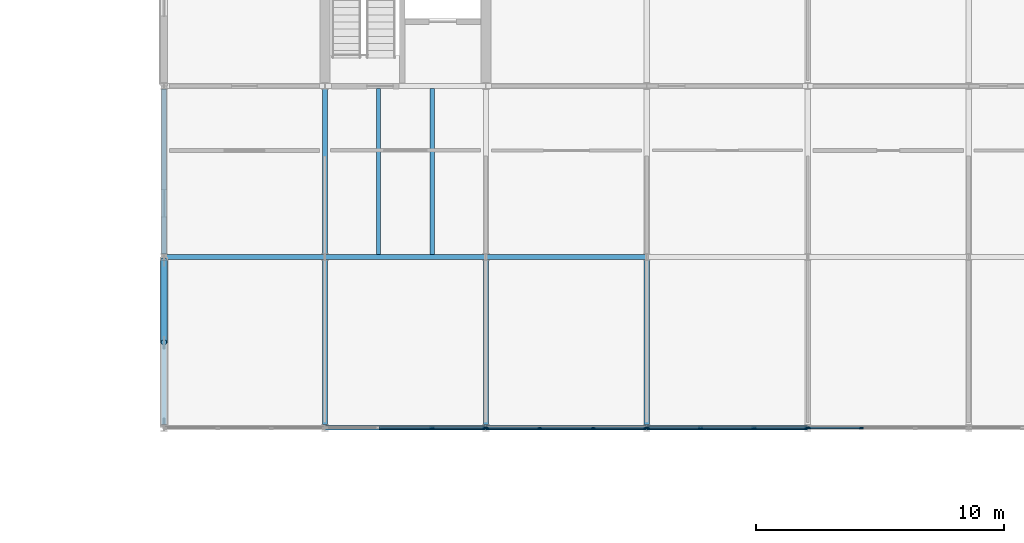
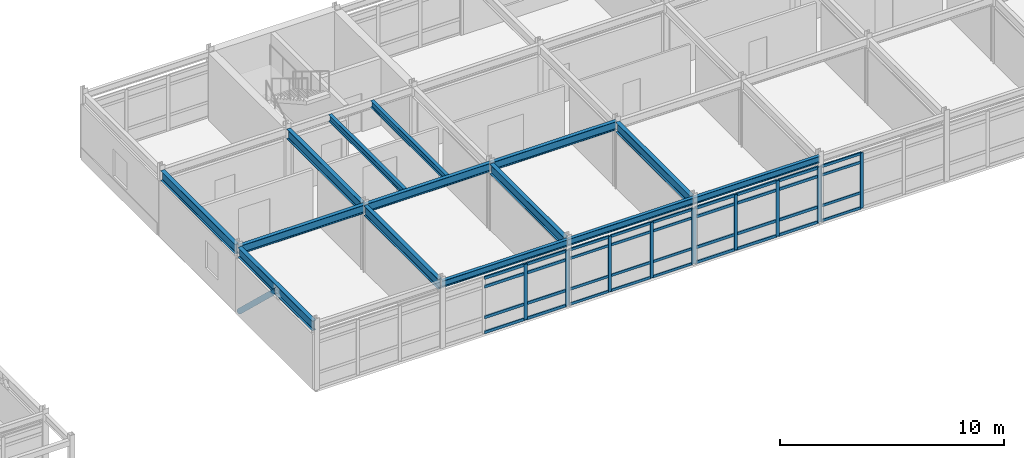
# One storey, part 24 of 57: 49 members, 14 beams, 4 elements without a shape of their own.
"""IFC4 building model written with IfcOpenShell, lengths in metres."""

import ifcopenshell
import ifcopenshell.guid

model = None  # the IFC model being written
_history = None  # IfcOwnerHistory: only IFC2X3 demands one
_inside = {}  # id of a spatial element -> (the spatial element, [elements in it])
_under = {}  # id of a project, library or spatial element -> (it, [spatial elements below it])
_declared = {}  # id of a project -> (the project, [libraries it declares])
_typed = {}  # id of a type object -> (the type object, [elements of that type])
_made_of = {}  # id of a material, layer set ... -> (it, [elements and type objects made of it])


def new_model(schema):
    """Start an empty IFC model of exactly this schema.

    Asked for "IFC4X3", IfcOpenShell would pick the latest addendum, in which some entities
    have other attributes; the version numbers below select the first issue.
    IFC2X3 requires an IfcOwnerHistory on every rooted entity: one is made here for all.
    """
    global model, _history
    if schema == "IFC4X3":
        model = ifcopenshell.file(schema_version=(4, 3, 0, 0))
    else:
        model = ifcopenshell.file(schema=schema)
    _inside.clear()
    _under.clear()
    _declared.clear()
    _typed.clear()
    _made_of.clear()
    _history = None
    if model.schema == "IFC2X3":
        org = make("IfcOrganization", Name="unknown")
        user = make(
            "IfcPersonAndOrganization",
            ThePerson=make("IfcPerson", FamilyName="unknown"),
            TheOrganization=org,
        )
        app = make(
            "IfcApplication",
            ApplicationDeveloper=org,
            Version="unknown",
            ApplicationFullName="unknown",
            ApplicationIdentifier="unknown",
        )
        _history = make(
            "IfcOwnerHistory",
            OwningUser=user,
            OwningApplication=app,
            ChangeAction="ADDED",
            CreationDate=0,
        )
    return model


def make(cls, **values):
    """One entity of the class cls with the attributes given. An attribute that is None is left unset."""
    return model.create_entity(
        cls, **{name: value for name, value in values.items() if value is not None}
    )


def rooted(cls, **values):
    """An entity with a GlobalId (a new one), such as an element, a storey or a relation."""
    return make(cls, GlobalId=ifcopenshell.guid.new(), OwnerHistory=_history, **values)


def si_unit(unit_type, name, prefix=None):
    """IfcSIUnit, for example si_unit("LENGTHUNIT", "METRE", prefix="MILLI")."""
    return make("IfcSIUnit", UnitType=unit_type, Prefix=prefix, Name=name)


def assignment(units):
    """IfcUnitAssignment: the units of a project."""
    return None if units is None else make("IfcUnitAssignment", Units=units)


def point(xyz):
    """IfcCartesianPoint."""
    return None if xyz is None else make("IfcCartesianPoint", Coordinates=xyz)


def direction(xyz):
    """IfcDirection."""
    return None if xyz is None else make("IfcDirection", DirectionRatios=xyz)


def frame(location, z_axis=None, x_axis=None):
    """IfcAxis2Placement3D, a coordinate frame: its origin and axes. An axis left out is left unset."""
    return make(
        "IfcAxis2Placement3D",
        Location=point(location),
        Axis=direction(z_axis),
        RefDirection=direction(x_axis),
    )


def frame_2d(location, x_axis=None):
    """IfcAxis2Placement2D, a coordinate frame in the plane: its origin and x axis."""
    return make(
        "IfcAxis2Placement2D", Location=point(location), RefDirection=direction(x_axis)
    )


def origin():
    """The frame at (0, 0, 0) with its axes left unset."""
    return frame((0.0, 0.0, 0.0))


def origin_2d():
    """The frame at (0, 0) in the plane with its x axis left unset."""
    return frame_2d((0.0, 0.0))


def place(relative_to, where):
    """IfcLocalPlacement: puts the frame where relative to a parent placement (None: the world)."""
    return make(
        "IfcLocalPlacement", PlacementRelTo=relative_to, RelativePlacement=where
    )


def context(
    kind, dimensions, precision=None, world=None, true_north=None, identifier=None
):
    """IfcGeometricRepresentationContext, for example the 3D "Model" context."""
    return make(
        "IfcGeometricRepresentationContext",
        ContextIdentifier=identifier,
        ContextType=kind,
        CoordinateSpaceDimension=dimensions,
        Precision=precision,
        WorldCoordinateSystem=world,
        TrueNorth=true_north,
    )


def subcontext(parent, identifier, kind, view, scale=None):
    """IfcGeometricRepresentationSubContext, for example "Body" below "Model"."""
    return make(
        "IfcGeometricRepresentationSubContext",
        ContextIdentifier=identifier,
        ContextType=kind,
        ParentContext=parent,
        TargetScale=scale,
        TargetView=view,
    )


def project(units=None, contexts=None):
    """IfcProject with its units and contexts."""
    return rooted(
        "IfcProject",
        Name="project",
        RepresentationContexts=contexts,
        UnitsInContext=assignment(units),
    )


def spatial(cls, under=None, at=None, **own):
    """A site, building, storey or space (cls), placed at a placement, below another one or the project."""
    s = rooted(cls, ObjectPlacement=at, **own)
    if under is not None:
        _under.setdefault(under.id(), (under, []))[1].append(s)
    return s


def profile(cls, at=None, kind="AREA", **sizes):
    """A parametric profile (cls). Its sizes go by their IFC names, for example OverallWidth=200.0."""
    return make(cls, ProfileType=kind, Position=at, **sizes)


def rectangle(**sizes):
    """IfcRectangleProfileDef."""
    return profile("IfcRectangleProfileDef", **sizes)


def hollow_circle(**sizes):
    """IfcCircleHollowProfileDef."""
    return profile("IfcCircleHollowProfileDef", **sizes)


def i_section(**sizes):
    """IfcIShapeProfileDef."""
    return profile("IfcIShapeProfileDef", **sizes)


def extrude(swept, where, along, depth):
    """IfcExtrudedAreaSolid: the profile swept, set in the frame where, extruded along a direction by depth."""
    return make(
        "IfcExtrudedAreaSolid",
        SweptArea=swept,
        Position=where,
        ExtrudedDirection=direction(along),
        Depth=depth,
    )


def shape(context_of_items, identifier, shape_type, items):
    """IfcShapeRepresentation: the items that make up one representation, for example the "Body"."""
    return make(
        "IfcShapeRepresentation",
        ContextOfItems=context_of_items,
        RepresentationIdentifier=identifier,
        RepresentationType=shape_type,
        Items=items,
    )


def material(Name=None, Category=None):
    """IfcMaterial."""
    return make("IfcMaterial", Name=Name, Category=Category)


def layer(
    of_material, thickness, ventilated=None, Name=None, Category=None, Priority=None
):
    """IfcMaterialLayer: one layer of a wall or slab, of a material (None: an air gap)."""
    return make(
        "IfcMaterialLayer",
        Material=of_material,
        LayerThickness=thickness,
        IsVentilated=ventilated,
        Name=Name,
        Category=Category,
        Priority=Priority,
    )


def layer_set(layers, Name=None):
    """IfcMaterialLayerSet."""
    return make("IfcMaterialLayerSet", MaterialLayers=layers, LayerSetName=Name)


def material_profile(
    of_material, cross_section, Name=None, Category=None, Priority=None
):
    """IfcMaterialProfile: a cross section and its material."""
    return make(
        "IfcMaterialProfile",
        Name=Name,
        Material=of_material,
        Profile=cross_section,
        Priority=Priority,
        Category=Category,
    )


def profile_set(profiles, Name=None, composite=None):
    """IfcMaterialProfileSet."""
    return make(
        "IfcMaterialProfileSet",
        Name=Name,
        MaterialProfiles=profiles,
        CompositeProfile=composite,
    )


def made_of(thing, what):
    """Note that an element or type object is made of a material, layer set ...; save() writes the relation."""
    if what is not None:
        _made_of.setdefault(what.id(), (what, []))[1].append(thing)
    return thing


def type_object(cls, material=None, **own):
    """A type object (cls), such as IfcWallType, which elements share."""
    return made_of(rooted(cls, **own), material)


def element(
    cls,
    number,
    at=None,
    inside=None,
    cuts=None,
    type_object=None,
    material=None,
    context=None,
    identifier="Body",
    shape_type=None,
    held_by="IfcProductDefinitionShape",
    body=None,
    shapes=None,
    **own,
):
    """One element of the class cls, such as IfcWall. Its Tag is "e" and its number.

    at: its placement. inside: the storey or other place that contains it. cuts: it is an
    opening in that element (IfcRelVoidsElement). A single representation is given by context,
    identifier, shape_type and body (its items); several are given by shapes. held_by: the class
    of the entity that holds the representations. save() writes the other relations.
    """
    e = rooted(cls, Tag="e%d" % number, ObjectPlacement=at, **own)
    if body is not None:
        shapes = [shape(context, identifier, shape_type, body)]
    if shapes is not None:
        e.Representation = make(held_by, Representations=shapes)
    if inside is not None:
        _inside.setdefault(inside.id(), (inside, []))[1].append(e)
    if cuts is not None:
        rooted(
            "IfcRelVoidsElement", RelatingBuildingElement=cuts, RelatedOpeningElement=e
        )
    if type_object is not None:
        _typed.setdefault(type_object.id(), (type_object, []))[1].append(e)
    return made_of(e, material)


def aggregate(whole, parts):
    """IfcRelAggregates: a whole, such as a stair, and the parts it consists of."""
    return rooted("IfcRelAggregates", RelatingObject=whole, RelatedObjects=parts)


def save(model, path):
    """Write the relations noted so far, then the file.

    IfcRelAggregates (storeys below a building ...), IfcRelContainedInSpatialStructure (elements
    in a storey), IfcRelDefinesByType, IfcRelAssociatesMaterial and IfcRelDeclares: one each for
    every whole, place, type object, material and project.
    """
    for whole, parts in _under.values():
        aggregate(whole, parts)
    for where, things in _inside.values():
        rooted(
            "IfcRelContainedInSpatialStructure",
            RelatedElements=things,
            RelatingStructure=where,
        )
    for kind, things in _typed.values():
        rooted("IfcRelDefinesByType", RelatedObjects=things, RelatingType=kind)
    for what, things in _made_of.values():
        rooted("IfcRelAssociatesMaterial", RelatedObjects=things, RelatingMaterial=what)
    for by, libraries in _declared.values():
        rooted("IfcRelDeclares", RelatingContext=by, RelatedDefinitions=libraries)
    model.write(path)


model = new_model("IFC4")

# Units and contexts
model_context = context("Model", 3, precision=1e-05, world=origin(), true_north=direction((0.0, 1.0)))
body_context = subcontext(model_context, "Body", "Model", "MODEL_VIEW")
ifc_project = project(units=[si_unit("LENGTHUNIT", "METRE"), si_unit("AREAUNIT", "SQUARE_METRE"), si_unit("VOLUMEUNIT", "CUBIC_METRE"), si_unit("PLANEANGLEUNIT", "RADIAN"), si_unit("MASSUNIT", "GRAM", prefix="KILO")], contexts=[model_context])

# Site, building, storey
site_placement = place(None, origin())
site = spatial("IfcSite", under=ifc_project, at=site_placement, CompositionType="ELEMENT")
building_placement = place(site_placement, origin())
building = spatial("IfcBuilding", under=site, at=building_placement, Name="Trelmorton Wharf Fire Station", CompositionType="ELEMENT")
storey_placement = place(building_placement, frame((0.0, 0.0, 13.5)))
storey = spatial("IfcBuildingStorey", under=building, at=storey_placement, Name="L03", CompositionType="ELEMENT", Elevation=13.5)

# Beams
ifc_material_1 = material(Name="Steel Grade 350", Category="steel")
ifc_material_profile_1 = material_profile(ifc_material_1, i_section(OverallWidth=0.18994140625, OverallDepth=0.45703125, WebThickness=0.009033203125, FlangeThickness=0.014404296875, FilletRadius=0.011474609375, at=origin_2d()), Name="460UB74.6")
ifc_profile_set_1 = profile_set([ifc_material_profile_1], Name="Steel Grade 350")
beam_type_1 = type_object("IfcBeamType", Name="BM_460UB75", PredefinedType="BEAM", material=ifc_profile_set_1)
for number, where, z_axis, x_axis, name in (
    (1, (104.00390625, 67.199951171875, 3.401611328125), (1.0, 0.0, 0.0), (0.0, 1.0, 0.0), "BM-L03-0934"),
    (2, (110.50390625, 67.199951171875, 3.401611328125), (1.0, 0.0, 0.0), (0.0, 1.0, 0.0), "BM-L03-0935"),
    (3, (117.00390625, 67.199951171875, 3.401611328125), (1.0, 0.0, 0.0), (0.0, 1.0, 0.0), "BM-L03-0936"),
):
    element("IfcBeam", number, at=place(storey_placement, frame(where, z_axis=z_axis, x_axis=x_axis)), inside=storey, type_object=beam_type_1, Name=name, PredefinedType="BEAM", context=body_context, shape_type="SweptSolid", body=[
        extrude(i_section(OverallWidth=0.18994140625, OverallDepth=0.45703125, WebThickness=0.009033203125, FlangeThickness=0.014404296875, FilletRadius=0.011474609375, at=origin_2d()), origin(), (0.0, 0.0, 1.0), 6.4921875),
    ])
ifc_material_profile_2 = material_profile(ifc_material_1, i_section(OverallWidth=0.208984375, OverallDepth=0.532958984375, WebThickness=0.01025390625, FlangeThickness=0.015625, FilletRadius=0.013916015625, at=origin_2d()), Name="530UB92.4")
ifc_profile_set_2 = profile_set([ifc_material_profile_2], Name="Steel Grade 350")
beam_type_2 = type_object("IfcBeamType", Name="BM_530UB92", PredefinedType="BEAM", material=ifc_profile_set_2)
beam_1_placement = place(storey_placement, frame((104.0, 60.426025390625, 3.363525390625), z_axis=(0.0, 1.0, 0.0), x_axis=(-1.0, 0.0, 0.0)))
element("IfcBeam", 4, at=beam_1_placement, inside=storey, type_object=beam_type_2, Name="BM-L03-0980", PredefinedType="BEAM", context=body_context, shape_type="SweptSolid", body=[
    extrude(i_section(OverallWidth=0.208984375, OverallDepth=0.532958984375, WebThickness=0.01025390625, FlangeThickness=0.015625, FilletRadius=0.013916015625, at=origin_2d()), origin(), (0.0, 0.0, 1.0), 6.64794921875),
])
beam_2_placement = place(storey_placement, frame((104.0, 67.325927734375, 3.363525390625), z_axis=(0.0, 1.0, 0.0), x_axis=(-1.0, 0.0, 0.0)))
element("IfcBeam", 5, at=beam_2_placement, inside=storey, type_object=beam_type_2, Name="BM-L03-0981", PredefinedType="BEAM", context=body_context, shape_type="SweptSolid", body=[
    extrude(i_section(OverallWidth=0.208984375, OverallDepth=0.532958984375, WebThickness=0.01025390625, FlangeThickness=0.015625, FilletRadius=0.013916015625, at=origin_2d()), origin(), (0.0, 0.0, 1.0), 6.648193359375),
])
beam_3_placement = place(storey_placement, frame((110.5, 60.426025390625, 3.363525390625), z_axis=(0.0, 1.0, 0.0), x_axis=(-1.0, 0.0, 0.0)))
element("IfcBeam", 6, at=beam_3_placement, inside=storey, type_object=beam_type_2, Name="BM-L03-0986", PredefinedType="BEAM", context=body_context, shape_type="SweptSolid", body=[
    extrude(i_section(OverallWidth=0.208984375, OverallDepth=0.532958984375, WebThickness=0.01025390625, FlangeThickness=0.015625, FilletRadius=0.013916015625, at=origin_2d()), origin(), (0.0, 0.0, 1.0), 6.64794921875),
])
beam_4_placement = place(storey_placement, frame((110.5, 67.325927734375, 3.363525390625), z_axis=(0.0, 1.0, 0.0), x_axis=(-1.0, 0.0, 0.0)))
element("IfcBeam", 7, at=beam_4_placement, inside=storey, type_object=beam_type_2, Name="BM-L03-0987", PredefinedType="BEAM", context=body_context, shape_type="SweptSolid", body=[
    extrude(i_section(OverallWidth=0.208984375, OverallDepth=0.532958984375, WebThickness=0.01025390625, FlangeThickness=0.015625, FilletRadius=0.013916015625, at=origin_2d()), origin(), (0.0, 0.0, 1.0), 6.648193359375),
])
for number, where, z_axis, x_axis, name in (
    (8, (117.0, 60.426025390625, 3.363525390625), (0.0, 1.0, 0.0), (-1.0, 0.0, 0.0), "BM-L03-0992"),
    (9, (123.5, 60.426025390625, 3.363525390625), (0.0, 1.0, 0.0), (-1.0, 0.0, 0.0), "BM-L03-0998"),
):
    element("IfcBeam", number, at=place(storey_placement, frame(where, z_axis=z_axis, x_axis=x_axis)), inside=storey, type_object=beam_type_2, Name=name, PredefinedType="BEAM", context=body_context, shape_type="SweptSolid", body=[
        extrude(i_section(OverallWidth=0.208984375, OverallDepth=0.532958984375, WebThickness=0.01025390625, FlangeThickness=0.015625, FilletRadius=0.013916015625, at=origin_2d()), origin(), (0.0, 0.0, 1.0), 6.64794921875),
    ])

# Member
ifc_material_2 = material(Name="Steel C350L0 (350 MPa)", Category="steel")
ifc_material_profile_3 = material_profile(ifc_material_2, hollow_circle(Radius=0.136474609375, WallThickness=0.00927734375, at=origin_2d()), Name="273.1x9.3CHS")
ifc_profile_set_3 = profile_set([ifc_material_profile_3], Name="Steel C350L0 (350 MPa)")
member_type_1 = type_object("IfcMemberType", Name="BR_273CHS", PredefinedType="BRACE", material=ifc_profile_set_3)
member_1_placement = place(storey_placement, frame((104.0, 67.072998046875, 0.1201171875), z_axis=(0.0, -0.724665699135, 0.689100590986), x_axis=(1.0, 0.0, 0.0)))
element("IfcMember", 10, at=member_1_placement, inside=storey, type_object=member_type_1, Name="CBF-V4-W-L03-B", PredefinedType="BRACE", context=body_context, shape_type="SweptSolid", body=[
    extrude(hollow_circle(Radius=0.136474609375, WallThickness=0.00927734375, at=origin_2d()), origin(), (0.0, 0.0, 1.0), 4.58544921875),
])

# Curtain wall, members
ifc_material_3 = material(Name="Anodised aluminium AW-6063", Category="aluminium")
ifc_layer = layer(ifc_material_3, 0.175048828125)
ifc_layer_set = layer_set([ifc_layer], Name="Anodised aluminium AW-6063")
curtain_wall_type = type_object("IfcCurtainWallType", Name="CW_CHIC_B", PredefinedType="USERDEFINED", material=ifc_layer_set)
curtain_wall_1_placement = place(storey_placement, origin())
curtain_wall_1 = element("IfcCurtainWall", 11, at=curtain_wall_1_placement, inside=storey, type_object=curtain_wall_type, Name="CW-V4-L03-145", ObjectType="CHICAGO BAY CURTAIN WALL", PredefinedType="USERDEFINED")
ifc_material_profile_4 = material_profile(ifc_material_3, rectangle(XDim=0.06494140625, YDim=0.159912109375, at=origin_2d()), Name="ALU-65x160")
ifc_profile_set_4 = profile_set([ifc_material_profile_4], Name="Anodised aluminium AW-6063")
member_type_2 = type_object("IfcMemberType", Name="CWM_65x160", PredefinedType="MULLION", material=ifc_profile_set_4)
member_2_placement = place(storey_placement, frame((123.465087890625, 60.300048828125, 0.0), z_axis=(0.0, 0.0, 1.0), x_axis=(0.0, -1.0, 0.0)))
member_2 = element("IfcMember", 12, at=member_2_placement, type_object=member_type_2, Name="CW2 mullion 1", PredefinedType="MULLION", context=body_context, shape_type="SweptSolid", body=[
    extrude(rectangle(XDim=0.06494140625, YDim=0.159912109375, at=origin_2d()), origin(), (0.0, 0.0, 1.0), 3.02001953125),
])
member_3_placement = place(storey_placement, frame((121.331787109375, 60.300048828125, 0.0), z_axis=(0.0, 0.0, 1.0), x_axis=(0.0, -1.0, 0.0)))
member_3 = element("IfcMember", 13, at=member_3_placement, type_object=member_type_2, Name="CW2 mullion 2", PredefinedType="MULLION", context=body_context, shape_type="SweptSolid", body=[
    extrude(rectangle(XDim=0.06494140625, YDim=0.159912109375, at=origin_2d()), origin(), (0.0, 0.0, 1.0), 3.02001953125),
])
member_4_placement = place(storey_placement, frame((119.168212890625, 60.300048828125, 0.0), z_axis=(0.0, 0.0, 1.0), x_axis=(0.0, -1.0, 0.0)))
member_4 = element("IfcMember", 14, at=member_4_placement, type_object=member_type_2, Name="CW2 mullion 3", PredefinedType="MULLION", context=body_context, shape_type="SweptSolid", body=[
    extrude(rectangle(XDim=0.06494140625, YDim=0.159912109375, at=origin_2d()), origin(), (0.0, 0.0, 1.0), 3.02001953125),
])
member_5_placement = place(storey_placement, frame((117.034912109375, 60.300048828125, 0.0), z_axis=(0.0, 0.0, 1.0), x_axis=(0.0, -1.0, 0.0)))
member_5 = element("IfcMember", 15, at=member_5_placement, type_object=member_type_2, Name="CW2 mullion 4", PredefinedType="MULLION", context=body_context, shape_type="SweptSolid", body=[
    extrude(rectangle(XDim=0.06494140625, YDim=0.159912109375, at=origin_2d()), origin(), (0.0, 0.0, 1.0), 3.02001953125),
])

curtain_wall_2_placement = place(storey_placement, origin())
curtain_wall_2 = element("IfcCurtainWall", 16, at=curtain_wall_2_placement, inside=storey, type_object=curtain_wall_type, Name="CW-V4-L03-147", ObjectType="CHICAGO BAY CURTAIN WALL", PredefinedType="USERDEFINED")
member_6_placement = place(storey_placement, frame((132.168212890625, 60.300048828125, 0.0), z_axis=(0.0, 0.0, 1.0), x_axis=(0.0, -1.0, 0.0)))
member_6 = element("IfcMember", 17, at=member_6_placement, type_object=member_type_2, Name="CW2 mullion 3", PredefinedType="MULLION", context=body_context, shape_type="SweptSolid", body=[
    extrude(rectangle(XDim=0.06494140625, YDim=0.159912109375, at=origin_2d()), origin(), (0.0, 0.0, 1.0), 3.02001953125),
])
member_7_placement = place(storey_placement, frame((130.034912109375, 60.300048828125, 0.0), z_axis=(0.0, 0.0, 1.0), x_axis=(0.0, -1.0, 0.0)))
member_7 = element("IfcMember", 18, at=member_7_placement, type_object=member_type_2, Name="CW2 mullion 4", PredefinedType="MULLION", context=body_context, shape_type="SweptSolid", body=[
    extrude(rectangle(XDim=0.06494140625, YDim=0.159912109375, at=origin_2d()), origin(), (0.0, 0.0, 1.0), 3.02001953125),
])

curtain_wall_3_placement = place(storey_placement, origin())
curtain_wall_3 = element("IfcCurtainWall", 19, at=curtain_wall_3_placement, inside=storey, type_object=curtain_wall_type, Name="CW-V4-L03-144", ObjectType="CHICAGO BAY CURTAIN WALL", PredefinedType="USERDEFINED")
ifc_material_profile_5 = material_profile(ifc_material_3, rectangle(XDim=0.074951171875, YDim=0.175048828125, at=origin_2d()), Name="ALU-75x175")
ifc_profile_set_5 = profile_set([ifc_material_profile_5], Name="Anodised aluminium AW-6063")
member_type_3 = type_object("IfcMemberType", Name="CWM_75x175", PredefinedType="MULLION", material=ifc_profile_set_5)
member_8_placement = place(storey_placement, frame((116.965087890625, 60.300048828125, 0.0), z_axis=(0.0, 0.0, 1.0), x_axis=(0.0, -1.0, 0.0)))
member_8 = element("IfcMember", 20, at=member_8_placement, type_object=member_type_3, Name="CW2 mullion 1", PredefinedType="MULLION", context=body_context, shape_type="SweptSolid", body=[
    extrude(rectangle(XDim=0.074951171875, YDim=0.175048828125, at=origin_2d()), origin(), (0.0, 0.0, 1.0), 3.02001953125),
])
member_9_placement = place(storey_placement, frame((114.831787109375, 60.300048828125, 0.0), z_axis=(0.0, 0.0, 1.0), x_axis=(0.0, -1.0, 0.0)))
member_9 = element("IfcMember", 21, at=member_9_placement, type_object=member_type_3, Name="CW2 mullion 2", PredefinedType="MULLION", context=body_context, shape_type="SweptSolid", body=[
    extrude(rectangle(XDim=0.074951171875, YDim=0.175048828125, at=origin_2d()), origin(), (0.0, 0.0, 1.0), 3.02001953125),
])

curtain_wall_4_placement = place(storey_placement, origin())
curtain_wall_4 = element("IfcCurtainWall", 22, at=curtain_wall_4_placement, inside=storey, type_object=curtain_wall_type, Name="CW-V4-L03-146", ObjectType="CHICAGO BAY CURTAIN WALL", PredefinedType="USERDEFINED")
member_10_placement = place(storey_placement, frame((129.965087890625, 60.300048828125, 0.0), z_axis=(0.0, 0.0, 1.0), x_axis=(0.0, -1.0, 0.0)))
member_10 = element("IfcMember", 23, at=member_10_placement, type_object=member_type_3, Name="CW2 mullion 1", PredefinedType="MULLION", context=body_context, shape_type="SweptSolid", body=[
    extrude(rectangle(XDim=0.074951171875, YDim=0.175048828125, at=origin_2d()), origin(), (0.0, 0.0, 1.0), 3.02001953125),
])
member_11_placement = place(storey_placement, frame((127.831787109375, 60.300048828125, 0.0), z_axis=(0.0, 0.0, 1.0), x_axis=(0.0, -1.0, 0.0)))
member_11 = element("IfcMember", 24, at=member_11_placement, type_object=member_type_3, Name="CW2 mullion 2", PredefinedType="MULLION", context=body_context, shape_type="SweptSolid", body=[
    extrude(rectangle(XDim=0.074951171875, YDim=0.175048828125, at=origin_2d()), origin(), (0.0, 0.0, 1.0), 3.02001953125),
])
member_12_placement = place(storey_placement, frame((125.668212890625, 60.300048828125, 0.0), z_axis=(0.0, 0.0, 1.0), x_axis=(0.0, -1.0, 0.0)))
member_12 = element("IfcMember", 25, at=member_12_placement, type_object=member_type_3, Name="CW2 mullion 3", PredefinedType="MULLION", context=body_context, shape_type="SweptSolid", body=[
    extrude(rectangle(XDim=0.074951171875, YDim=0.175048828125, at=origin_2d()), origin(), (0.0, 0.0, 1.0), 3.02001953125),
])
member_13_placement = place(storey_placement, frame((123.534912109375, 60.300048828125, 0.0), z_axis=(0.0, 0.0, 1.0), x_axis=(0.0, -1.0, 0.0)))
member_13 = element("IfcMember", 26, at=member_13_placement, type_object=member_type_3, Name="CW2 mullion 4", PredefinedType="MULLION", context=body_context, shape_type="SweptSolid", body=[
    extrude(rectangle(XDim=0.074951171875, YDim=0.175048828125, at=origin_2d()), origin(), (0.0, 0.0, 1.0), 3.02001953125),
])

# Member
ifc_material_profile_6 = material_profile(ifc_material_3, rectangle(XDim=0.06494140625, YDim=0.139892578125, at=origin_2d()), Name="ALU-65x140")
ifc_profile_set_6 = profile_set([ifc_material_profile_6], Name="Anodised aluminium AW-6063")
member_type_4 = type_object("IfcMemberType", Name="CWT_65x140", PredefinedType="USERDEFINED", material=ifc_profile_set_6)
member_14_placement = place(storey_placement, frame((123.43505859375, 60.300048828125, 0.030029296875), z_axis=(-1.0, 0.0, 0.0), x_axis=(0.0, -1.0, 0.0)))
member_14 = element("IfcMember", 27, at=member_14_placement, type_object=member_type_4, Name="CW2 transom 1.1", ObjectType="TRANSOM", PredefinedType="USERDEFINED", context=body_context, shape_type="SweptSolid", body=[
    extrude(rectangle(XDim=0.06494140625, YDim=0.139892578125, at=origin_2d()), origin(), (0.0, 0.0, 1.0), 2.073486328125),
])

member_15_placement = place(storey_placement, frame((123.43505859375, 60.300048828125, 0.85009765625), z_axis=(-1.0, 0.0, 0.0), x_axis=(0.0, -1.0, 0.0)))
member_15 = element("IfcMember", 28, at=member_15_placement, type_object=member_type_4, Name="CW2 transom 1.2", ObjectType="TRANSOM", PredefinedType="USERDEFINED", context=body_context, shape_type="SweptSolid", body=[
    extrude(rectangle(XDim=0.06494140625, YDim=0.139892578125, at=origin_2d()), origin(), (0.0, 0.0, 1.0), 2.073486328125),
])

member_16_placement = place(storey_placement, frame((123.43505859375, 60.300048828125, 2.52001953125), z_axis=(-1.0, 0.0, 0.0), x_axis=(0.0, -1.0, 0.0)))
member_16 = element("IfcMember", 29, at=member_16_placement, type_object=member_type_4, Name="CW2 transom 1.3", ObjectType="TRANSOM", PredefinedType="USERDEFINED", context=body_context, shape_type="SweptSolid", body=[
    extrude(rectangle(XDim=0.06494140625, YDim=0.139892578125, at=origin_2d()), origin(), (0.0, 0.0, 1.0), 2.073486328125),
])

member_17_placement = place(storey_placement, frame((123.43505859375, 60.300048828125, 2.989990234375), z_axis=(-1.0, 0.0, 0.0), x_axis=(0.0, -1.0, 0.0)))
member_17 = element("IfcMember", 30, at=member_17_placement, type_object=member_type_4, Name="CW2 transom 1.4", ObjectType="TRANSOM", PredefinedType="USERDEFINED", context=body_context, shape_type="SweptSolid", body=[
    extrude(rectangle(XDim=0.06494140625, YDim=0.139892578125, at=origin_2d()), origin(), (0.0, 0.0, 1.0), 2.073486328125),
])

member_18_placement = place(storey_placement, frame((121.3017578125, 60.300048828125, 0.030029296875), z_axis=(-1.0, 0.0, 0.0), x_axis=(0.0, -1.0, 0.0)))
member_18 = element("IfcMember", 31, at=member_18_placement, type_object=member_type_4, Name="CW2 transom 2.1", ObjectType="TRANSOM", PredefinedType="USERDEFINED", context=body_context, shape_type="SweptSolid", body=[
    extrude(rectangle(XDim=0.06494140625, YDim=0.139892578125, at=origin_2d()), origin(), (0.0, 0.0, 1.0), 2.103515625),
])

member_19_placement = place(storey_placement, frame((121.3017578125, 60.300048828125, 0.85009765625), z_axis=(-1.0, 0.0, 0.0), x_axis=(0.0, -1.0, 0.0)))
member_19 = element("IfcMember", 32, at=member_19_placement, type_object=member_type_4, Name="CW2 transom 2.2", ObjectType="TRANSOM", PredefinedType="USERDEFINED", context=body_context, shape_type="SweptSolid", body=[
    extrude(rectangle(XDim=0.06494140625, YDim=0.139892578125, at=origin_2d()), origin(), (0.0, 0.0, 1.0), 2.103515625),
])

member_20_placement = place(storey_placement, frame((121.3017578125, 60.300048828125, 2.52001953125), z_axis=(-1.0, 0.0, 0.0), x_axis=(0.0, -1.0, 0.0)))
member_20 = element("IfcMember", 33, at=member_20_placement, type_object=member_type_4, Name="CW2 transom 2.3", ObjectType="TRANSOM", PredefinedType="USERDEFINED", context=body_context, shape_type="SweptSolid", body=[
    extrude(rectangle(XDim=0.06494140625, YDim=0.139892578125, at=origin_2d()), origin(), (0.0, 0.0, 1.0), 2.103515625),
])

member_21_placement = place(storey_placement, frame((121.3017578125, 60.300048828125, 2.989990234375), z_axis=(-1.0, 0.0, 0.0), x_axis=(0.0, -1.0, 0.0)))
member_21 = element("IfcMember", 34, at=member_21_placement, type_object=member_type_4, Name="CW2 transom 2.4", ObjectType="TRANSOM", PredefinedType="USERDEFINED", context=body_context, shape_type="SweptSolid", body=[
    extrude(rectangle(XDim=0.06494140625, YDim=0.139892578125, at=origin_2d()), origin(), (0.0, 0.0, 1.0), 2.103515625),
])

member_22_placement = place(storey_placement, frame((119.138427734375, 60.300048828125, 0.030029296875), z_axis=(-1.0, 0.0, 0.0), x_axis=(0.0, -1.0, 0.0)))
member_22 = element("IfcMember", 35, at=member_22_placement, type_object=member_type_4, Name="CW2 transom 3.1", ObjectType="TRANSOM", PredefinedType="USERDEFINED", context=body_context, shape_type="SweptSolid", body=[
    extrude(rectangle(XDim=0.06494140625, YDim=0.139892578125, at=origin_2d()), origin(), (0.0, 0.0, 1.0), 2.073486328125),
])

member_23_placement = place(storey_placement, frame((119.138427734375, 60.300048828125, 0.85009765625), z_axis=(-1.0, 0.0, 0.0), x_axis=(0.0, -1.0, 0.0)))
member_23 = element("IfcMember", 36, at=member_23_placement, type_object=member_type_4, Name="CW2 transom 3.2", ObjectType="TRANSOM", PredefinedType="USERDEFINED", context=body_context, shape_type="SweptSolid", body=[
    extrude(rectangle(XDim=0.06494140625, YDim=0.139892578125, at=origin_2d()), origin(), (0.0, 0.0, 1.0), 2.073486328125),
])

member_24_placement = place(storey_placement, frame((119.138427734375, 60.300048828125, 2.52001953125), z_axis=(-1.0, 0.0, 0.0), x_axis=(0.0, -1.0, 0.0)))
member_24 = element("IfcMember", 37, at=member_24_placement, type_object=member_type_4, Name="CW2 transom 3.3", ObjectType="TRANSOM", PredefinedType="USERDEFINED", context=body_context, shape_type="SweptSolid", body=[
    extrude(rectangle(XDim=0.06494140625, YDim=0.139892578125, at=origin_2d()), origin(), (0.0, 0.0, 1.0), 2.073486328125),
])

member_25_placement = place(storey_placement, frame((119.138427734375, 60.300048828125, 2.989990234375), z_axis=(-1.0, 0.0, 0.0), x_axis=(0.0, -1.0, 0.0)))
member_25 = element("IfcMember", 38, at=member_25_placement, type_object=member_type_4, Name="CW2 transom 3.4", ObjectType="TRANSOM", PredefinedType="USERDEFINED", context=body_context, shape_type="SweptSolid", body=[
    extrude(rectangle(XDim=0.06494140625, YDim=0.139892578125, at=origin_2d()), origin(), (0.0, 0.0, 1.0), 2.073486328125),
])

aggregate(curtain_wall_1, [member_2, member_3, member_4, member_5, member_14, member_15, member_16, member_17, member_18, member_19, member_20, member_21, member_22, member_23, member_24, member_25])

member_26_placement = place(storey_placement, frame((132.138427734375, 60.300048828125, 0.030029296875), z_axis=(-1.0, 0.0, 0.0), x_axis=(0.0, -1.0, 0.0)))
member_26 = element("IfcMember", 39, at=member_26_placement, type_object=member_type_4, Name="CW2 transom 3.1", ObjectType="TRANSOM", PredefinedType="USERDEFINED", context=body_context, shape_type="SweptSolid", body=[
    extrude(rectangle(XDim=0.06494140625, YDim=0.139892578125, at=origin_2d()), origin(), (0.0, 0.0, 1.0), 2.073486328125),
])

member_27_placement = place(storey_placement, frame((132.138427734375, 60.300048828125, 0.85009765625), z_axis=(-1.0, 0.0, 0.0), x_axis=(0.0, -1.0, 0.0)))
member_27 = element("IfcMember", 40, at=member_27_placement, type_object=member_type_4, Name="CW2 transom 3.2", ObjectType="TRANSOM", PredefinedType="USERDEFINED", context=body_context, shape_type="SweptSolid", body=[
    extrude(rectangle(XDim=0.06494140625, YDim=0.139892578125, at=origin_2d()), origin(), (0.0, 0.0, 1.0), 2.073486328125),
])

member_28_placement = place(storey_placement, frame((132.138427734375, 60.300048828125, 2.52001953125), z_axis=(-1.0, 0.0, 0.0), x_axis=(0.0, -1.0, 0.0)))
member_28 = element("IfcMember", 41, at=member_28_placement, type_object=member_type_4, Name="CW2 transom 3.3", ObjectType="TRANSOM", PredefinedType="USERDEFINED", context=body_context, shape_type="SweptSolid", body=[
    extrude(rectangle(XDim=0.06494140625, YDim=0.139892578125, at=origin_2d()), origin(), (0.0, 0.0, 1.0), 2.073486328125),
])

member_29_placement = place(storey_placement, frame((132.138427734375, 60.300048828125, 2.989990234375), z_axis=(-1.0, 0.0, 0.0), x_axis=(0.0, -1.0, 0.0)))
member_29 = element("IfcMember", 42, at=member_29_placement, type_object=member_type_4, Name="CW2 transom 3.4", ObjectType="TRANSOM", PredefinedType="USERDEFINED", context=body_context, shape_type="SweptSolid", body=[
    extrude(rectangle(XDim=0.06494140625, YDim=0.139892578125, at=origin_2d()), origin(), (0.0, 0.0, 1.0), 2.073486328125),
])

aggregate(curtain_wall_2, [member_6, member_7, member_26, member_27, member_28, member_29])

ifc_material_profile_7 = material_profile(ifc_material_3, rectangle(XDim=0.074951171875, YDim=0.155029296875, at=origin_2d()), Name="ALU-75x155")
ifc_profile_set_7 = profile_set([ifc_material_profile_7], Name="Anodised aluminium AW-6063")
member_type_5 = type_object("IfcMemberType", Name="CWT_75x155", PredefinedType="USERDEFINED", material=ifc_profile_set_7)
member_30_placement = place(storey_placement, frame((116.93505859375, 60.300048828125, 0.030029296875), z_axis=(-1.0, 0.0, 0.0), x_axis=(0.0, -1.0, 0.0)))
member_30 = element("IfcMember", 43, at=member_30_placement, type_object=member_type_5, Name="CW2 transom 1.1", ObjectType="TRANSOM", PredefinedType="USERDEFINED", context=body_context, shape_type="SweptSolid", body=[
    extrude(rectangle(XDim=0.074951171875, YDim=0.155029296875, at=origin_2d()), origin(), (0.0, 0.0, 1.0), 2.073486328125),
])

member_31_placement = place(storey_placement, frame((116.93505859375, 60.300048828125, 0.85009765625), z_axis=(-1.0, 0.0, 0.0), x_axis=(0.0, -1.0, 0.0)))
member_31 = element("IfcMember", 44, at=member_31_placement, type_object=member_type_5, Name="CW2 transom 1.2", ObjectType="TRANSOM", PredefinedType="USERDEFINED", context=body_context, shape_type="SweptSolid", body=[
    extrude(rectangle(XDim=0.074951171875, YDim=0.155029296875, at=origin_2d()), origin(), (0.0, 0.0, 1.0), 2.073486328125),
])

member_32_placement = place(storey_placement, frame((116.93505859375, 60.300048828125, 2.52001953125), z_axis=(-1.0, 0.0, 0.0), x_axis=(0.0, -1.0, 0.0)))
member_32 = element("IfcMember", 45, at=member_32_placement, type_object=member_type_5, Name="CW2 transom 1.3", ObjectType="TRANSOM", PredefinedType="USERDEFINED", context=body_context, shape_type="SweptSolid", body=[
    extrude(rectangle(XDim=0.074951171875, YDim=0.155029296875, at=origin_2d()), origin(), (0.0, 0.0, 1.0), 2.073486328125),
])

member_33_placement = place(storey_placement, frame((116.93505859375, 60.300048828125, 2.989990234375), z_axis=(-1.0, 0.0, 0.0), x_axis=(0.0, -1.0, 0.0)))
member_33 = element("IfcMember", 46, at=member_33_placement, type_object=member_type_5, Name="CW2 transom 1.4", ObjectType="TRANSOM", PredefinedType="USERDEFINED", context=body_context, shape_type="SweptSolid", body=[
    extrude(rectangle(XDim=0.074951171875, YDim=0.155029296875, at=origin_2d()), origin(), (0.0, 0.0, 1.0), 2.073486328125),
])

member_34_placement = place(storey_placement, frame((114.8017578125, 60.300048828125, 0.030029296875), z_axis=(-1.0, 0.0, 0.0), x_axis=(0.0, -1.0, 0.0)))
member_34 = element("IfcMember", 47, at=member_34_placement, type_object=member_type_5, Name="CW2 transom 2.1", ObjectType="TRANSOM", PredefinedType="USERDEFINED", context=body_context, shape_type="SweptSolid", body=[
    extrude(rectangle(XDim=0.074951171875, YDim=0.155029296875, at=origin_2d()), origin(), (0.0, 0.0, 1.0), 2.103515625),
])

member_35_placement = place(storey_placement, frame((114.8017578125, 60.300048828125, 0.85009765625), z_axis=(-1.0, 0.0, 0.0), x_axis=(0.0, -1.0, 0.0)))
member_35 = element("IfcMember", 48, at=member_35_placement, type_object=member_type_5, Name="CW2 transom 2.2", ObjectType="TRANSOM", PredefinedType="USERDEFINED", context=body_context, shape_type="SweptSolid", body=[
    extrude(rectangle(XDim=0.074951171875, YDim=0.155029296875, at=origin_2d()), origin(), (0.0, 0.0, 1.0), 2.103515625),
])

member_36_placement = place(storey_placement, frame((114.8017578125, 60.300048828125, 2.52001953125), z_axis=(-1.0, 0.0, 0.0), x_axis=(0.0, -1.0, 0.0)))
member_36 = element("IfcMember", 49, at=member_36_placement, type_object=member_type_5, Name="CW2 transom 2.3", ObjectType="TRANSOM", PredefinedType="USERDEFINED", context=body_context, shape_type="SweptSolid", body=[
    extrude(rectangle(XDim=0.074951171875, YDim=0.155029296875, at=origin_2d()), origin(), (0.0, 0.0, 1.0), 2.103515625),
])

member_37_placement = place(storey_placement, frame((114.8017578125, 60.300048828125, 2.989990234375), z_axis=(-1.0, 0.0, 0.0), x_axis=(0.0, -1.0, 0.0)))
member_37 = element("IfcMember", 50, at=member_37_placement, type_object=member_type_5, Name="CW2 transom 2.4", ObjectType="TRANSOM", PredefinedType="USERDEFINED", context=body_context, shape_type="SweptSolid", body=[
    extrude(rectangle(XDim=0.074951171875, YDim=0.155029296875, at=origin_2d()), origin(), (0.0, 0.0, 1.0), 2.103515625),
])

aggregate(curtain_wall_3, [member_8, member_9, member_30, member_31, member_32, member_33, member_34, member_35, member_36, member_37])

member_38_placement = place(storey_placement, frame((129.93505859375, 60.300048828125, 0.030029296875), z_axis=(-1.0, 0.0, 0.0), x_axis=(0.0, -1.0, 0.0)))
member_38 = element("IfcMember", 51, at=member_38_placement, type_object=member_type_5, Name="CW2 transom 1.1", ObjectType="TRANSOM", PredefinedType="USERDEFINED", context=body_context, shape_type="SweptSolid", body=[
    extrude(rectangle(XDim=0.074951171875, YDim=0.155029296875, at=origin_2d()), origin(), (0.0, 0.0, 1.0), 2.073486328125),
])

member_39_placement = place(storey_placement, frame((129.93505859375, 60.300048828125, 0.85009765625), z_axis=(-1.0, 0.0, 0.0), x_axis=(0.0, -1.0, 0.0)))
member_39 = element("IfcMember", 52, at=member_39_placement, type_object=member_type_5, Name="CW2 transom 1.2", ObjectType="TRANSOM", PredefinedType="USERDEFINED", context=body_context, shape_type="SweptSolid", body=[
    extrude(rectangle(XDim=0.074951171875, YDim=0.155029296875, at=origin_2d()), origin(), (0.0, 0.0, 1.0), 2.073486328125),
])

member_40_placement = place(storey_placement, frame((129.93505859375, 60.300048828125, 2.52001953125), z_axis=(-1.0, 0.0, 0.0), x_axis=(0.0, -1.0, 0.0)))
member_40 = element("IfcMember", 53, at=member_40_placement, type_object=member_type_5, Name="CW2 transom 1.3", ObjectType="TRANSOM", PredefinedType="USERDEFINED", context=body_context, shape_type="SweptSolid", body=[
    extrude(rectangle(XDim=0.074951171875, YDim=0.155029296875, at=origin_2d()), origin(), (0.0, 0.0, 1.0), 2.073486328125),
])

member_41_placement = place(storey_placement, frame((129.93505859375, 60.300048828125, 2.989990234375), z_axis=(-1.0, 0.0, 0.0), x_axis=(0.0, -1.0, 0.0)))
member_41 = element("IfcMember", 54, at=member_41_placement, type_object=member_type_5, Name="CW2 transom 1.4", ObjectType="TRANSOM", PredefinedType="USERDEFINED", context=body_context, shape_type="SweptSolid", body=[
    extrude(rectangle(XDim=0.074951171875, YDim=0.155029296875, at=origin_2d()), origin(), (0.0, 0.0, 1.0), 2.073486328125),
])

member_42_placement = place(storey_placement, frame((127.8017578125, 60.300048828125, 0.030029296875), z_axis=(-1.0, 0.0, 0.0), x_axis=(0.0, -1.0, 0.0)))
member_42 = element("IfcMember", 55, at=member_42_placement, type_object=member_type_5, Name="CW2 transom 2.1", ObjectType="TRANSOM", PredefinedType="USERDEFINED", context=body_context, shape_type="SweptSolid", body=[
    extrude(rectangle(XDim=0.074951171875, YDim=0.155029296875, at=origin_2d()), origin(), (0.0, 0.0, 1.0), 2.103515625),
])

member_43_placement = place(storey_placement, frame((127.8017578125, 60.300048828125, 0.85009765625), z_axis=(-1.0, 0.0, 0.0), x_axis=(0.0, -1.0, 0.0)))
member_43 = element("IfcMember", 56, at=member_43_placement, type_object=member_type_5, Name="CW2 transom 2.2", ObjectType="TRANSOM", PredefinedType="USERDEFINED", context=body_context, shape_type="SweptSolid", body=[
    extrude(rectangle(XDim=0.074951171875, YDim=0.155029296875, at=origin_2d()), origin(), (0.0, 0.0, 1.0), 2.103515625),
])

member_44_placement = place(storey_placement, frame((127.8017578125, 60.300048828125, 2.52001953125), z_axis=(-1.0, 0.0, 0.0), x_axis=(0.0, -1.0, 0.0)))
member_44 = element("IfcMember", 57, at=member_44_placement, type_object=member_type_5, Name="CW2 transom 2.3", ObjectType="TRANSOM", PredefinedType="USERDEFINED", context=body_context, shape_type="SweptSolid", body=[
    extrude(rectangle(XDim=0.074951171875, YDim=0.155029296875, at=origin_2d()), origin(), (0.0, 0.0, 1.0), 2.103515625),
])

member_45_placement = place(storey_placement, frame((127.8017578125, 60.300048828125, 2.989990234375), z_axis=(-1.0, 0.0, 0.0), x_axis=(0.0, -1.0, 0.0)))
member_45 = element("IfcMember", 58, at=member_45_placement, type_object=member_type_5, Name="CW2 transom 2.4", ObjectType="TRANSOM", PredefinedType="USERDEFINED", context=body_context, shape_type="SweptSolid", body=[
    extrude(rectangle(XDim=0.074951171875, YDim=0.155029296875, at=origin_2d()), origin(), (0.0, 0.0, 1.0), 2.103515625),
])

member_46_placement = place(storey_placement, frame((125.638427734375, 60.300048828125, 0.030029296875), z_axis=(-1.0, 0.0, 0.0), x_axis=(0.0, -1.0, 0.0)))
member_46 = element("IfcMember", 59, at=member_46_placement, type_object=member_type_5, Name="CW2 transom 3.1", ObjectType="TRANSOM", PredefinedType="USERDEFINED", context=body_context, shape_type="SweptSolid", body=[
    extrude(rectangle(XDim=0.074951171875, YDim=0.155029296875, at=origin_2d()), origin(), (0.0, 0.0, 1.0), 2.073486328125),
])

member_47_placement = place(storey_placement, frame((125.638427734375, 60.300048828125, 0.85009765625), z_axis=(-1.0, 0.0, 0.0), x_axis=(0.0, -1.0, 0.0)))
member_47 = element("IfcMember", 60, at=member_47_placement, type_object=member_type_5, Name="CW2 transom 3.2", ObjectType="TRANSOM", PredefinedType="USERDEFINED", context=body_context, shape_type="SweptSolid", body=[
    extrude(rectangle(XDim=0.074951171875, YDim=0.155029296875, at=origin_2d()), origin(), (0.0, 0.0, 1.0), 2.073486328125),
])

member_48_placement = place(storey_placement, frame((125.638427734375, 60.300048828125, 2.52001953125), z_axis=(-1.0, 0.0, 0.0), x_axis=(0.0, -1.0, 0.0)))
member_48 = element("IfcMember", 61, at=member_48_placement, type_object=member_type_5, Name="CW2 transom 3.3", ObjectType="TRANSOM", PredefinedType="USERDEFINED", context=body_context, shape_type="SweptSolid", body=[
    extrude(rectangle(XDim=0.074951171875, YDim=0.155029296875, at=origin_2d()), origin(), (0.0, 0.0, 1.0), 2.073486328125),
])

member_49_placement = place(storey_placement, frame((125.638427734375, 60.300048828125, 2.989990234375), z_axis=(-1.0, 0.0, 0.0), x_axis=(0.0, -1.0, 0.0)))
member_49 = element("IfcMember", 62, at=member_49_placement, type_object=member_type_5, Name="CW2 transom 3.4", ObjectType="TRANSOM", PredefinedType="USERDEFINED", context=body_context, shape_type="SweptSolid", body=[
    extrude(rectangle(XDim=0.074951171875, YDim=0.155029296875, at=origin_2d()), origin(), (0.0, 0.0, 1.0), 2.073486328125),
])

aggregate(curtain_wall_4, [member_10, member_11, member_12, member_13, member_38, member_39, member_40, member_41, member_42, member_43, member_44, member_45, member_46, member_47, member_48, member_49])

# Beams
ifc_material_profile_8 = material_profile(ifc_material_1, i_section(OverallWidth=0.172119140625, OverallDepth=0.35888671875, WebThickness=0.008056640625, FlangeThickness=0.012939453125, FilletRadius=0.011474609375, at=origin_2d()), Name="360UB56.7")
ifc_profile_set_8 = profile_set([ifc_material_profile_8], Name="Steel Grade 350")
beam_type_3 = type_object("IfcBeamType", Name="JS_360UB57", PredefinedType="JOIST", material=ifc_profile_set_8)
for number, where, z_axis, x_axis, name in (
    (63, (112.666748046875, 67.2900390625, 3.450439453125), (0.0, 1.0, 0.0), (-1.0, 0.0, 0.0), "JS-L03-0347"),
    (64, (114.833251953125, 67.2900390625, 3.450439453125), (0.0, 1.0, 0.0), (-1.0, 0.0, 0.0), "JS-L03-0348"),
):
    element("IfcBeam", number, at=place(storey_placement, frame(where, z_axis=z_axis, x_axis=x_axis)), inside=storey, type_object=beam_type_3, Name=name, PredefinedType="JOIST", context=body_context, shape_type="SweptSolid", body=[
        extrude(i_section(OverallWidth=0.172119140625, OverallDepth=0.35888671875, WebThickness=0.008056640625, FlangeThickness=0.012939453125, FilletRadius=0.011474609375, at=origin_2d()), origin(), (0.0, 0.0, 1.0), 6.719970703125),
    ])
ifc_material_profile_9 = material_profile(ifc_material_1, i_section(OverallWidth=0.1708984375, OverallDepth=0.35595703125, WebThickness=0.00732421875, FlangeThickness=0.011474609375, FilletRadius=0.011474609375, at=origin_2d()), Name="360UB50.7")
ifc_profile_set_9 = profile_set([ifc_material_profile_9], Name="Steel Grade 350")
beam_type_4 = type_object("IfcBeamType", Name="SP_360UB51", PredefinedType="SPANDREL", material=ifc_profile_set_9)
for number, where, z_axis, x_axis, name in (
    (65, (110.50390625, 60.300048828125, 3.451904296875), (1.0, 0.0, 0.0), (0.0, 1.0, 0.0), "BM-L03-0924"),
    (66, (117.00390625, 60.300048828125, 3.451904296875), (1.0, 0.0, 0.0), (0.0, 1.0, 0.0), "BM-L03-0925"),
    (67, (123.50390625, 60.300048828125, 3.451904296875), (1.0, 0.0, 0.0), (0.0, 1.0, 0.0), "BM-L03-0926"),
):
    element("IfcBeam", number, at=place(storey_placement, frame(where, z_axis=z_axis, x_axis=x_axis)), inside=storey, type_object=beam_type_4, Name=name, PredefinedType="SPANDREL", context=body_context, shape_type="SweptSolid", body=[
        extrude(i_section(OverallWidth=0.1708984375, OverallDepth=0.35595703125, WebThickness=0.00732421875, FlangeThickness=0.011474609375, FilletRadius=0.011474609375, at=origin_2d()), origin(), (0.0, 0.0, 1.0), 6.4921875),
    ])

save(model, "model.ifc")
